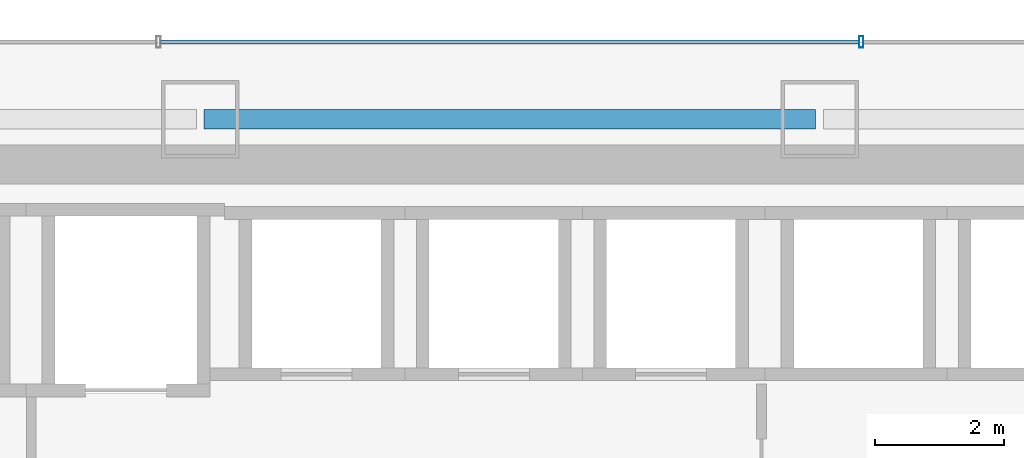
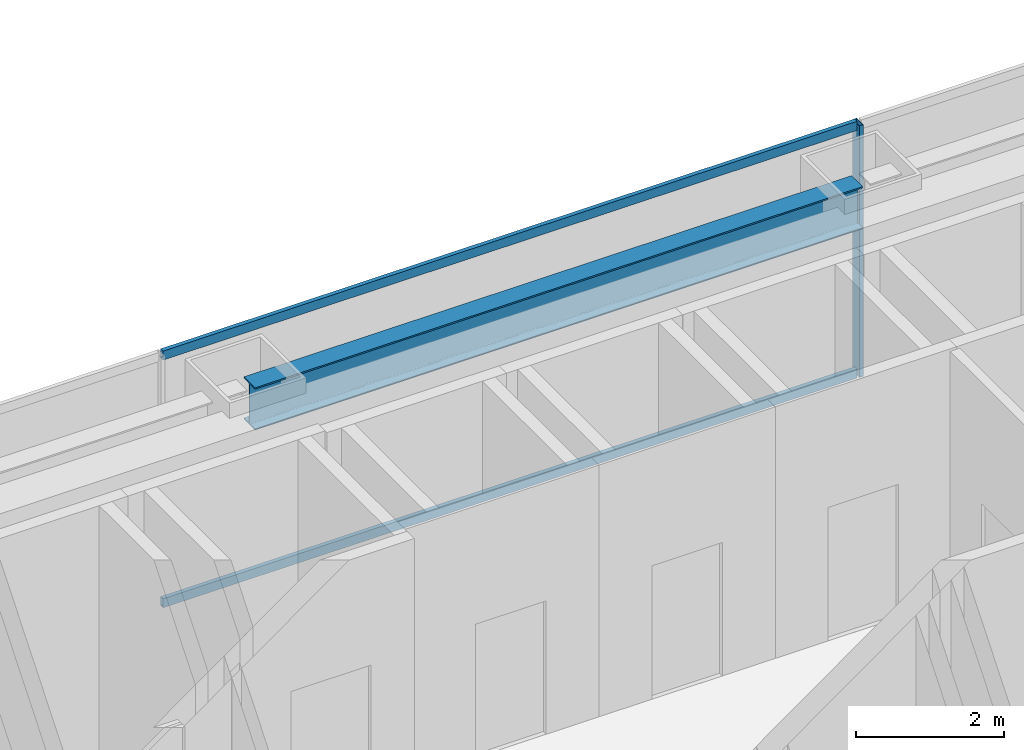
# One storey, part 28 of 47: 3 members, 1 beam, 1 element without a shape of its own.
"""IFC4 building model written with IfcOpenShell, lengths in metres."""

from ifc_helpers import new_model, si_unit, direction, frame, origin, origin_2d, place, context, subcontext, project, spatial, hollow_rectangle, i_section, extrude, material, material_profile, profile_set, type_object, element, aggregate, save


model = new_model("IFC4")

# Units and contexts
model_context = context("Model", 3, precision=1e-05, world=origin(), true_north=direction((0.0, 1.0)))
body_context = subcontext(model_context, "Body", "Model", "MODEL_VIEW")
ifc_project = project(units=[si_unit("LENGTHUNIT", "METRE"), si_unit("AREAUNIT", "SQUARE_METRE"), si_unit("VOLUMEUNIT", "CUBIC_METRE"), si_unit("PLANEANGLEUNIT", "RADIAN"), si_unit("MASSUNIT", "GRAM", prefix="KILO")], contexts=[model_context])

# Site, building, storey
site_placement = place(None, origin())
site = spatial("IfcSite", under=ifc_project, at=site_placement, CompositionType="ELEMENT")
building_placement = place(site_placement, origin())
building = spatial("IfcBuilding", under=site, at=building_placement, Name="Saevonmaru Cultural Tower", CompositionType="ELEMENT")
storey_placement = place(building_placement, frame((0.0, 0.0, 92.800048828125)))
storey = spatial("IfcBuildingStorey", under=building, at=storey_placement, Name="L19", CompositionType="ELEMENT", Elevation=92.800048828125)

# Beam
ifc_material_1 = material(Name="Steel SM355", Category="steel")
ifc_material_profile_1 = material_profile(ifc_material_1, i_section(OverallWidth=0.300048828125, OverallDepth=0.699951171875, WebThickness=0.012939453125, FlangeThickness=0.02392578125, FilletRadius=0.02587890625, at=origin_2d()), Name="H-700x300x13x24")
ifc_profile_set_1 = profile_set([ifc_material_profile_1], Name="Steel SM355")
beam_type = type_object("IfcBeamType", Name="BM-SP-H700", PredefinedType="SPANDREL", material=ifc_profile_set_1)
beam_placement = place(storey_placement, frame((25.260009765625, 54.800048828125, 3.800048828125), z_axis=(1.0, 0.0, 0.0), x_axis=(0.0, 1.0, 0.0)))
element("IfcBeam", 1, at=beam_placement, inside=storey, type_object=beam_type, Name="L19 North Spine Girder 3", PredefinedType="SPANDREL", context=body_context, shape_type="SweptSolid", body=[
    extrude(i_section(OverallWidth=0.300048828125, OverallDepth=0.699951171875, WebThickness=0.012939453125, FlangeThickness=0.02392578125, FilletRadius=0.02587890625, at=origin_2d()), origin(), (0.0, 0.0, 1.0), 9.47998046875),
])

# Curtain wall, members
ifc_material_2 = material(Name="Satin Bronze Anodised Aluminium", Category="aluminium")
curtain_wall_type = type_object("IfcCurtainWallType", Name="CW-TYP-A", PredefinedType="NOTDEFINED", material=ifc_material_2)
curtain_wall_placement = place(storey_placement, origin())
curtain_wall = element("IfcCurtainWall", 2, at=curtain_wall_placement, inside=storey, type_object=curtain_wall_type, Name="L19 North Spine Unitised Curtain Wall E10B", PredefinedType="NOTDEFINED")
ifc_material_profile_2 = material_profile(ifc_material_2, hollow_rectangle(XDim=0.06494140625, YDim=0.179931640625, WallThickness=0.00390625, at=origin_2d()), Name="ALU-MULL-180x65x4")
ifc_profile_set_2 = profile_set([ifc_material_profile_2], Name="Satin Bronze Anodised Aluminium")
member_type_1 = type_object("IfcMemberType", Name="ML-CW-180x65", PredefinedType="MULLION", material=ifc_profile_set_2)
member_1_placement = place(storey_placement, frame((35.44677734375, 56.0, 0.0), z_axis=(0.0, 0.0, 1.0), x_axis=(-1.0, 0.0, 0.0)))
member_1 = element("IfcMember", 3, at=member_1_placement, type_object=member_type_1, Name="CW-TW-L19-E10B mullion 2", PredefinedType="MULLION", context=body_context, shape_type="SweptSolid", body=[
    extrude(hollow_rectangle(XDim=0.06494140625, YDim=0.179931640625, WallThickness=0.00390625, at=origin_2d()), origin(), (0.0, 0.0, 1.0), 4.14990234375),
])
ifc_material_profile_3 = material_profile(ifc_material_2, hollow_rectangle(XDim=0.06494140625, YDim=0.14990234375, WallThickness=0.00390625, at=origin_2d()), Name="ALU-TRAN-150x65x4")
ifc_profile_set_3 = profile_set([ifc_material_profile_3], Name="Satin Bronze Anodised Aluminium")
member_type_2 = type_object("IfcMemberType", Name="TR-CW-150x65", PredefinedType="USERDEFINED", material=ifc_profile_set_3)
member_2_placement = place(storey_placement, frame((35.4140625, 56.0, 0.032470703125), z_axis=(-1.0, 0.0, 0.0), x_axis=(0.0, -1.0, 0.0)))
member_2 = element("IfcMember", 4, at=member_2_placement, type_object=member_type_2, Name="CW-TW-L19-E10B transom 2.1", ObjectType="TRANSOM", PredefinedType="USERDEFINED", context=body_context, shape_type="SweptSolid", body=[
    extrude(hollow_rectangle(XDim=0.06494140625, YDim=0.14990234375, WallThickness=0.00390625, at=origin_2d()), origin(), (0.0, 0.0, 1.0), 10.828125),
])
member_3_placement = place(storey_placement, frame((35.4140625, 56.0, 4.117431640625), z_axis=(-1.0, 0.0, 0.0), x_axis=(0.0, -1.0, 0.0)))
member_3 = element("IfcMember", 5, at=member_3_placement, type_object=member_type_2, Name="CW-TW-L19-E10B transom 2.2", ObjectType="TRANSOM", PredefinedType="USERDEFINED", context=body_context, shape_type="SweptSolid", body=[
    extrude(hollow_rectangle(XDim=0.06494140625, YDim=0.14990234375, WallThickness=0.00390625, at=origin_2d()), origin(), (0.0, 0.0, 1.0), 10.828125),
])
aggregate(curtain_wall, [member_1, member_2, member_3])

save(model, "model.ifc")
